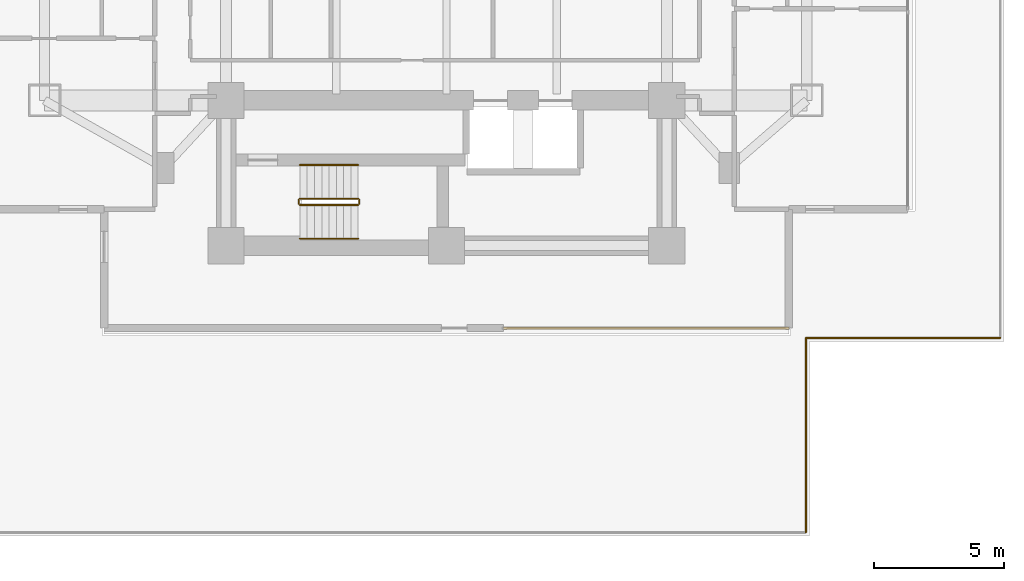
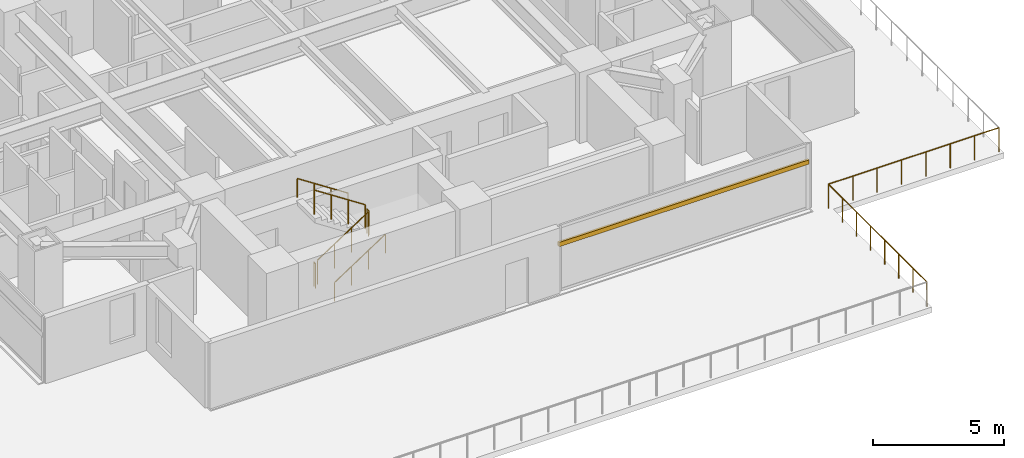
# One storey, part 24 of 26: 8 railings, 1 shading device.
"""IFC4 building model written with IfcOpenShell, lengths in metres."""

from ifc_helpers import new_model, si_unit, direction, frame, origin, origin_2d, place, context, subcontext, project, spatial, rectangle, circle, extrude, material, material_profile, profile_set, type_object, element, save


model = new_model("IFC4")

# Units and contexts
model_context = context("Model", 3, precision=1e-05, world=origin(), true_north=direction((0.0, 1.0)))
body_context = subcontext(model_context, "Body", "Model", "MODEL_VIEW")
ifc_project = project(units=[si_unit("LENGTHUNIT", "METRE"), si_unit("AREAUNIT", "SQUARE_METRE"), si_unit("VOLUMEUNIT", "CUBIC_METRE"), si_unit("PLANEANGLEUNIT", "RADIAN"), si_unit("MASSUNIT", "GRAM", prefix="KILO")], contexts=[model_context])

# Site, building, storey
site_placement = place(None, origin())
site = spatial("IfcSite", under=ifc_project, at=site_placement, CompositionType="ELEMENT")
building_placement = place(site_placement, origin())
building = spatial("IfcBuilding", under=site, at=building_placement, Name="Mirazonda Arch Towers", CompositionType="ELEMENT")
storey_placement = place(building_placement, frame((0.0, 0.0, 22.39990234375)))
storey = spatial("IfcBuildingStorey", under=building, at=storey_placement, Name="L05", CompositionType="ELEMENT", Elevation=22.39990234375)

# Shading device
ifc_material_1 = material(Name="Kiln-Fired Architectural Terracotta", Category="masonry")
ifc_material_profile = material_profile(ifc_material_1, rectangle(XDim=0.10009765625, YDim=0.199951171875, at=origin_2d()), Name="TERRA-BAG-100x200")
ifc_profile_set = profile_set([ifc_material_profile], Name="Kiln-Fired Architectural Terracotta")
shading_device_type = type_object("IfcShadingDeviceType", Name="BAGUETTE-2", PredefinedType="USERDEFINED", material=ifc_profile_set)
shading_device_placement = place(storey_placement, frame((89.699951171875, 12.02001953125, 2.18896484375), z_axis=(-1.0, 0.0, 0.0), x_axis=(0.0, -1.0, 0.0)))
element("IfcShadingDevice", 1, at=shading_device_placement, inside=storey, type_object=shading_device_type, Name="L05 Glazed Terracotta Sun-Screen Baguette CW-L05-T2-S", ObjectType="BAGUETTE", PredefinedType="USERDEFINED", context=body_context, shape_type="SweptSolid", body=[
    extrude(rectangle(XDim=0.10009765625, YDim=0.199951171875, at=origin_2d()), origin(), (0.0, 0.0, 1.0), 11.0),
])

# Railings
ifc_material_2 = material(Name="Architectural Brushed Steel S355", Category="steel")
railing_type_1 = type_object("IfcRailingType", Name="GUARD-EXT-1150", PredefinedType="GUARDRAIL", material=ifc_material_2)
railing_1_placement = place(storey_placement, frame((90.360107421875, 4.139892578125, 0.0)))
element("IfcRailing", 2, at=railing_1_placement, inside=storey, type_object=railing_type_1, Name="L05 Podium Roof Terrace Perimeter Guard 03", PredefinedType="GUARDRAIL", context=body_context, shape_type="SweptSolid", body=[
    extrude(circle(Radius=0.02392578125, at=origin_2d()), frame((0.0, 0.0, 1.1259765625), z_axis=(0.0, 1.0, 0.0), x_axis=(-1.0, 0.0, 0.0)), (0.0, 0.0, 1.0), 7.5),
    extrude(circle(Radius=0.02099609375, at=origin_2d()), origin(), (0.0, 0.0, 1.0), 1.101806640625),
    extrude(circle(Radius=0.02099609375, at=origin_2d()), frame((0.0, 1.071533203125, 0.0)), (0.0, 0.0, 1.0), 1.101806640625),
    extrude(circle(Radius=0.02099609375, at=origin_2d()), frame((0.0, 2.142822265625, 0.0)), (0.0, 0.0, 1.0), 1.101806640625),
    extrude(circle(Radius=0.02099609375, at=origin_2d()), frame((0.0, 3.21435546875, 0.0)), (0.0, 0.0, 1.0), 1.101806640625),
    extrude(circle(Radius=0.02099609375, at=origin_2d()), frame((0.0, 4.28564453125, 0.0)), (0.0, 0.0, 1.0), 1.101806640625),
    extrude(circle(Radius=0.02099609375, at=origin_2d()), frame((0.0, 5.357177734375, 0.0)), (0.0, 0.0, 1.0), 1.101806640625),
    extrude(circle(Radius=0.02099609375, at=origin_2d()), frame((0.0, 6.428466796875, 0.0)), (0.0, 0.0, 1.0), 1.101806640625),
    extrude(circle(Radius=0.02099609375, at=origin_2d()), frame((0.0, 7.5, 0.0)), (0.0, 0.0, 1.0), 1.101806640625),
])
railing_2_placement = place(storey_placement, frame((90.360107421875, 11.639892578125, 0.0)))
element("IfcRailing", 3, at=railing_2_placement, inside=storey, type_object=railing_type_1, Name="L05 Podium Roof Terrace Perimeter Guard 04", PredefinedType="GUARDRAIL", context=body_context, shape_type="SweptSolid", body=[
    extrude(circle(Radius=0.02392578125, at=origin_2d()), frame((0.0, 0.0, 1.1259765625), z_axis=(1.0, 0.0, 0.0), x_axis=(0.0, 1.0, 0.0)), (0.0, 0.0, 1.0), 7.5),
    extrude(circle(Radius=0.02099609375, at=origin_2d()), origin(), (0.0, 0.0, 1.0), 1.101806640625),
    extrude(circle(Radius=0.02099609375, at=origin_2d()), frame((1.071533203125, 0.0, 0.0)), (0.0, 0.0, 1.0), 1.101806640625),
    extrude(circle(Radius=0.02099609375, at=origin_2d()), frame((2.142822265625, 0.0, 0.0)), (0.0, 0.0, 1.0), 1.101806640625),
    extrude(circle(Radius=0.02099609375, at=origin_2d()), frame((3.21435546875, 0.0, 0.0)), (0.0, 0.0, 1.0), 1.101806640625),
    extrude(circle(Radius=0.02099609375, at=origin_2d()), frame((4.28564453125, 0.0, 0.0)), (0.0, 0.0, 1.0), 1.101806640625),
    extrude(circle(Radius=0.02099609375, at=origin_2d()), frame((5.357177734375, 0.0, 0.0)), (0.0, 0.0, 1.0), 1.101806640625),
    extrude(circle(Radius=0.02099609375, at=origin_2d()), frame((6.428466796875, 0.0, 0.0)), (0.0, 0.0, 1.0), 1.101806640625),
    extrude(circle(Radius=0.02099609375, at=origin_2d()), frame((7.5, 0.0, 0.0)), (0.0, 0.0, 1.0), 1.101806640625),
])
railing_type_2 = type_object("IfcRailingType", Name="GUARD-STAIR-1120", PredefinedType="GUARDRAIL", material=ifc_material_2)
railing_3_placement = place(storey_placement, frame((70.85009765625, 16.77001953125, 0.183349609375)))
element("IfcRailing", 4, at=railing_3_placement, inside=storey, type_object=railing_type_2, Name="L05 ST-T2S stair guard 1", PredefinedType="GUARDRAIL", context=body_context, shape_type="SweptSolid", body=[
    extrude(circle(Radius=0.02392578125, at=origin_2d()), frame((0.0, 0.0, 1.1259765625), z_axis=(0.836595146698, 0.0, 0.547821650285), x_axis=(0.0, 1.0, 0.0)), (0.0, 0.0, 1.0), 2.677490234375),
    extrude(circle(Radius=0.02099609375, at=origin_2d()), origin(), (0.0, 0.0, 1.0), 1.101806640625),
    extrude(circle(Radius=0.02099609375, at=origin_2d()), frame((0.74658203125, 0.0, 0.489013671875)), (0.0, 0.0, 1.0), 1.101806640625),
    extrude(circle(Radius=0.02099609375, at=origin_2d()), frame((1.493408203125, 0.0, 0.977783203125)), (0.0, 0.0, 1.0), 1.101806640625),
    extrude(circle(Radius=0.02099609375, at=origin_2d()), frame((2.239990234375, 0.0, 1.466796875)), (0.0, 0.0, 1.0), 1.101806640625),
])
railing_4_placement = place(storey_placement, frame((73.139892578125, 16.820068359375, 1.650146484375)))
element("IfcRailing", 5, at=railing_4_placement, inside=storey, type_object=railing_type_2, Name="L05 ST-T2S stair guard 2", PredefinedType="GUARDRAIL", context=body_context, shape_type="SweptSolid", body=[
    extrude(circle(Radius=0.02392578125, at=origin_2d()), frame((0.0, 0.0, 1.1259765625), z_axis=(0.0, 1.0, 0.0), x_axis=(-1.0, 0.0, 0.0)), (0.0, 0.0, 1.0), 0.139892578125),
    extrude(circle(Radius=0.02099609375, at=origin_2d()), origin(), (0.0, 0.0, 1.0), 1.101806640625),
    extrude(circle(Radius=0.02099609375, at=origin_2d()), frame((0.0, 0.139892578125, 0.0)), (0.0, 0.0, 1.0), 1.101806640625),
])
railing_5_placement = place(storey_placement, frame((73.090087890625, 17.010009765625, 1.83349609375)))
element("IfcRailing", 6, at=railing_5_placement, inside=storey, type_object=railing_type_2, Name="L05 ST-T2S stair guard 3", PredefinedType="GUARDRAIL", context=body_context, shape_type="SweptSolid", body=[
    extrude(circle(Radius=0.02392578125, at=origin_2d()), frame((0.0, 0.0, 1.1259765625), z_axis=(-0.836636935527, 0.0, 0.547757827979), x_axis=(0.0, -1.0, 0.0)), (0.0, 0.0, 1.0), 2.677490234375),
    extrude(circle(Radius=0.02099609375, at=origin_2d()), origin(), (0.0, 0.0, 1.0), 1.101806640625),
    extrude(circle(Radius=0.02099609375, at=origin_2d()), frame((-0.74658203125, 0.0, 0.48876953125)), (0.0, 0.0, 1.0), 1.101806640625),
    extrude(circle(Radius=0.02099609375, at=origin_2d()), frame((-1.493408203125, 0.0, 0.977783203125)), (0.0, 0.0, 1.0), 1.101806640625),
    extrude(circle(Radius=0.02099609375, at=origin_2d()), frame((-2.239990234375, 0.0, 1.466552734375)), (0.0, 0.0, 1.0), 1.101806640625),
])
railing_6_placement = place(storey_placement, frame((70.800048828125, 16.820068359375, 0.0)))
element("IfcRailing", 7, at=railing_6_placement, inside=storey, type_object=railing_type_2, Name="L05 ST-T2S stair guard 4", PredefinedType="GUARDRAIL", context=body_context, shape_type="SweptSolid", body=[
    extrude(circle(Radius=0.02392578125, at=origin_2d()), frame((0.0, 0.0, 1.1259765625), z_axis=(0.0, 1.0, 0.0), x_axis=(-1.0, 0.0, 0.0)), (0.0, 0.0, 1.0), 0.139892578125),
    extrude(circle(Radius=0.02099609375, at=origin_2d()), origin(), (0.0, 0.0, 1.0), 1.101806640625),
    extrude(circle(Radius=0.02099609375, at=origin_2d()), frame((0.0, 0.139892578125, 0.0)), (0.0, 0.0, 1.0), 1.101806640625),
])
railing_type_3 = type_object("IfcRailingType", Name="HANDRAIL-915", PredefinedType="HANDRAIL", material=ifc_material_2)
railing_7_placement = place(storey_placement, frame((70.85009765625, 15.469970703125, 0.183349609375)))
element("IfcRailing", 8, at=railing_7_placement, inside=storey, type_object=railing_type_3, Name="L05 ST-T2S stair handrail 1", PredefinedType="HANDRAIL", context=body_context, shape_type="SweptSolid", body=[
    extrude(circle(Radius=0.02392578125, at=origin_2d()), frame((0.0, 0.0, 0.8759765625), z_axis=(0.836595146698, 0.0, 0.547821650285), x_axis=(0.0, 1.0, 0.0)), (0.0, 0.0, 1.0), 2.677490234375),
    extrude(circle(Radius=0.02099609375, at=origin_2d()), origin(), (0.0, 0.0, 1.0), 0.851806640625),
    extrude(circle(Radius=0.02099609375, at=origin_2d()), frame((0.74658203125, 0.0, 0.489013671875)), (0.0, 0.0, 1.0), 0.851806640625),
    extrude(circle(Radius=0.02099609375, at=origin_2d()), frame((1.493408203125, 0.0, 0.977783203125)), (0.0, 0.0, 1.0), 0.851806640625),
    extrude(circle(Radius=0.02099609375, at=origin_2d()), frame((2.239990234375, 0.0, 1.466796875)), (0.0, 0.0, 1.0), 0.851806640625),
])
railing_8_placement = place(storey_placement, frame((73.090087890625, 18.31005859375, 1.83349609375)))
element("IfcRailing", 9, at=railing_8_placement, inside=storey, type_object=railing_type_3, Name="L05 ST-T2S stair handrail 2", PredefinedType="HANDRAIL", context=body_context, shape_type="SweptSolid", body=[
    extrude(circle(Radius=0.02392578125, at=origin_2d()), frame((0.0, 0.0, 0.8759765625), z_axis=(-0.836636935527, 0.0, 0.547757827979), x_axis=(0.0, -1.0, 0.0)), (0.0, 0.0, 1.0), 2.677490234375),
    extrude(circle(Radius=0.02099609375, at=origin_2d()), origin(), (0.0, 0.0, 1.0), 0.851806640625),
    extrude(circle(Radius=0.02099609375, at=origin_2d()), frame((-0.74658203125, 0.0, 0.48876953125)), (0.0, 0.0, 1.0), 0.851806640625),
    extrude(circle(Radius=0.02099609375, at=origin_2d()), frame((-1.493408203125, 0.0, 0.977783203125)), (0.0, 0.0, 1.0), 0.851806640625),
    extrude(circle(Radius=0.02099609375, at=origin_2d()), frame((-2.239990234375, 0.0, 1.466552734375)), (0.0, 0.0, 1.0), 0.851806640625),
])

save(model, "model.ifc")
